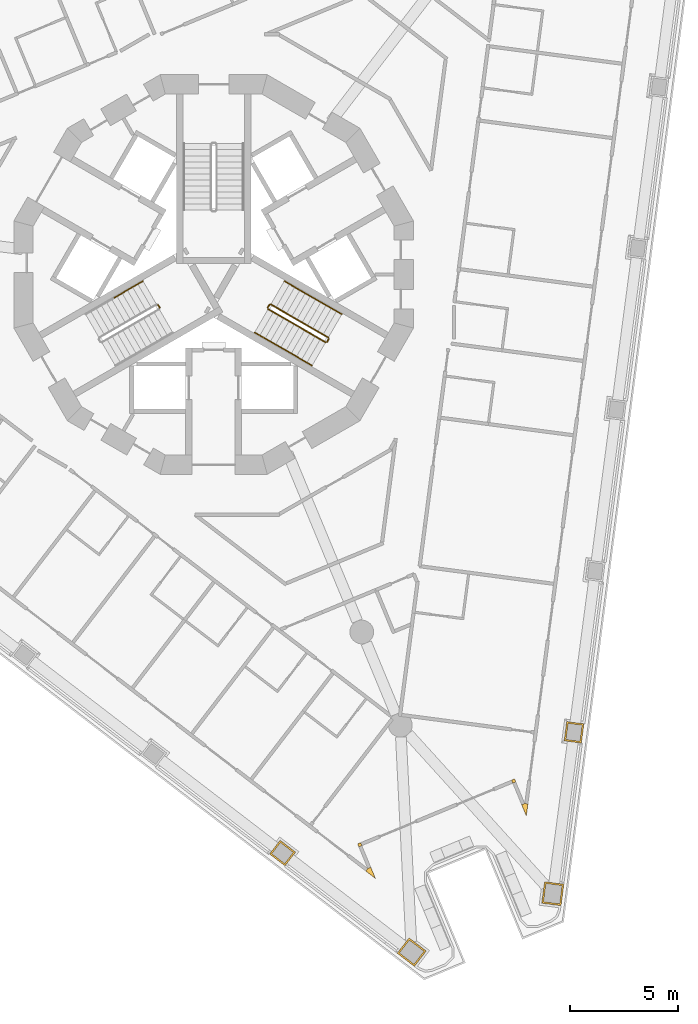
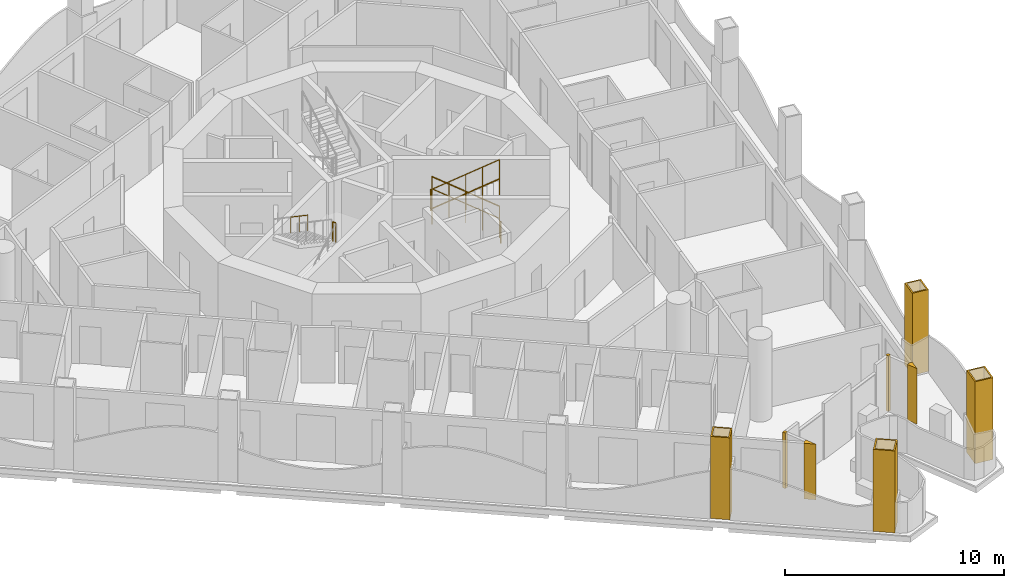
# One storey, part 13 of 17: 10 railings, 8 coverings.
"""IFC4 building model written with IfcOpenShell, lengths in metres."""

import ifcopenshell
import ifcopenshell.guid

model = None  # the IFC model being written
_history = None  # IfcOwnerHistory: only IFC2X3 demands one
_inside = {}  # id of a spatial element -> (the spatial element, [elements in it])
_under = {}  # id of a project, library or spatial element -> (it, [spatial elements below it])
_declared = {}  # id of a project -> (the project, [libraries it declares])
_typed = {}  # id of a type object -> (the type object, [elements of that type])
_made_of = {}  # id of a material, layer set ... -> (it, [elements and type objects made of it])


def new_model(schema):
    """Start an empty IFC model of exactly this schema.

    Asked for "IFC4X3", IfcOpenShell would pick the latest addendum, in which some entities
    have other attributes; the version numbers below select the first issue.
    IFC2X3 requires an IfcOwnerHistory on every rooted entity: one is made here for all.
    """
    global model, _history
    if schema == "IFC4X3":
        model = ifcopenshell.file(schema_version=(4, 3, 0, 0))
    else:
        model = ifcopenshell.file(schema=schema)
    _inside.clear()
    _under.clear()
    _declared.clear()
    _typed.clear()
    _made_of.clear()
    _history = None
    if model.schema == "IFC2X3":
        org = make("IfcOrganization", Name="unknown")
        user = make(
            "IfcPersonAndOrganization",
            ThePerson=make("IfcPerson", FamilyName="unknown"),
            TheOrganization=org,
        )
        app = make(
            "IfcApplication",
            ApplicationDeveloper=org,
            Version="unknown",
            ApplicationFullName="unknown",
            ApplicationIdentifier="unknown",
        )
        _history = make(
            "IfcOwnerHistory",
            OwningUser=user,
            OwningApplication=app,
            ChangeAction="ADDED",
            CreationDate=0,
        )
    return model


def make(cls, **values):
    """One entity of the class cls with the attributes given. An attribute that is None is left unset."""
    return model.create_entity(
        cls, **{name: value for name, value in values.items() if value is not None}
    )


def rooted(cls, **values):
    """An entity with a GlobalId (a new one), such as an element, a storey or a relation."""
    return make(cls, GlobalId=ifcopenshell.guid.new(), OwnerHistory=_history, **values)


def si_unit(unit_type, name, prefix=None):
    """IfcSIUnit, for example si_unit("LENGTHUNIT", "METRE", prefix="MILLI")."""
    return make("IfcSIUnit", UnitType=unit_type, Prefix=prefix, Name=name)


def assignment(units):
    """IfcUnitAssignment: the units of a project."""
    return None if units is None else make("IfcUnitAssignment", Units=units)


def point(xyz):
    """IfcCartesianPoint."""
    return None if xyz is None else make("IfcCartesianPoint", Coordinates=xyz)


def direction(xyz):
    """IfcDirection."""
    return None if xyz is None else make("IfcDirection", DirectionRatios=xyz)


def frame(location, z_axis=None, x_axis=None):
    """IfcAxis2Placement3D, a coordinate frame: its origin and axes. An axis left out is left unset."""
    return make(
        "IfcAxis2Placement3D",
        Location=point(location),
        Axis=direction(z_axis),
        RefDirection=direction(x_axis),
    )


def frame_2d(location, x_axis=None):
    """IfcAxis2Placement2D, a coordinate frame in the plane: its origin and x axis."""
    return make(
        "IfcAxis2Placement2D", Location=point(location), RefDirection=direction(x_axis)
    )


def origin():
    """The frame at (0, 0, 0) with its axes left unset."""
    return frame((0.0, 0.0, 0.0))


def origin_2d():
    """The frame at (0, 0) in the plane with its x axis left unset."""
    return frame_2d((0.0, 0.0))


def place(relative_to, where):
    """IfcLocalPlacement: puts the frame where relative to a parent placement (None: the world)."""
    return make(
        "IfcLocalPlacement", PlacementRelTo=relative_to, RelativePlacement=where
    )


def context(
    kind, dimensions, precision=None, world=None, true_north=None, identifier=None
):
    """IfcGeometricRepresentationContext, for example the 3D "Model" context."""
    return make(
        "IfcGeometricRepresentationContext",
        ContextIdentifier=identifier,
        ContextType=kind,
        CoordinateSpaceDimension=dimensions,
        Precision=precision,
        WorldCoordinateSystem=world,
        TrueNorth=true_north,
    )


def subcontext(parent, identifier, kind, view, scale=None):
    """IfcGeometricRepresentationSubContext, for example "Body" below "Model"."""
    return make(
        "IfcGeometricRepresentationSubContext",
        ContextIdentifier=identifier,
        ContextType=kind,
        ParentContext=parent,
        TargetScale=scale,
        TargetView=view,
    )


def project(units=None, contexts=None):
    """IfcProject with its units and contexts."""
    return rooted(
        "IfcProject",
        Name="project",
        RepresentationContexts=contexts,
        UnitsInContext=assignment(units),
    )


def spatial(cls, under=None, at=None, **own):
    """A site, building, storey or space (cls), placed at a placement, below another one or the project."""
    s = rooted(cls, ObjectPlacement=at, **own)
    if under is not None:
        _under.setdefault(under.id(), (under, []))[1].append(s)
    return s


def polyline(points):
    """IfcPolyline through the points."""
    return make("IfcPolyline", Points=[point(p) for p in points])


def profile(cls, at=None, kind="AREA", **sizes):
    """A parametric profile (cls). Its sizes go by their IFC names, for example OverallWidth=200.0."""
    return make(cls, ProfileType=kind, Position=at, **sizes)


def circle(**sizes):
    """IfcCircleProfileDef."""
    return profile("IfcCircleProfileDef", **sizes)


def outline(outer, holes=None, kind="AREA"):
    """IfcArbitraryClosedProfileDef: a profile drawn as a closed curve; with holes, ...WithVoids."""
    if holes is None:
        return make("IfcArbitraryClosedProfileDef", ProfileType=kind, OuterCurve=outer)
    return make(
        "IfcArbitraryProfileDefWithVoids",
        ProfileType=kind,
        OuterCurve=outer,
        InnerCurves=holes,
    )


def extrude(swept, where, along, depth):
    """IfcExtrudedAreaSolid: the profile swept, set in the frame where, extruded along a direction by depth."""
    return make(
        "IfcExtrudedAreaSolid",
        SweptArea=swept,
        Position=where,
        ExtrudedDirection=direction(along),
        Depth=depth,
    )


def shape(context_of_items, identifier, shape_type, items):
    """IfcShapeRepresentation: the items that make up one representation, for example the "Body"."""
    return make(
        "IfcShapeRepresentation",
        ContextOfItems=context_of_items,
        RepresentationIdentifier=identifier,
        RepresentationType=shape_type,
        Items=items,
    )


def material(Name=None, Category=None):
    """IfcMaterial."""
    return make("IfcMaterial", Name=Name, Category=Category)


def layer(
    of_material, thickness, ventilated=None, Name=None, Category=None, Priority=None
):
    """IfcMaterialLayer: one layer of a wall or slab, of a material (None: an air gap)."""
    return make(
        "IfcMaterialLayer",
        Material=of_material,
        LayerThickness=thickness,
        IsVentilated=ventilated,
        Name=Name,
        Category=Category,
        Priority=Priority,
    )


def layer_set(layers, Name=None):
    """IfcMaterialLayerSet."""
    return make("IfcMaterialLayerSet", MaterialLayers=layers, LayerSetName=Name)


def made_of(thing, what):
    """Note that an element or type object is made of a material, layer set ...; save() writes the relation."""
    if what is not None:
        _made_of.setdefault(what.id(), (what, []))[1].append(thing)
    return thing


def type_object(cls, material=None, **own):
    """A type object (cls), such as IfcWallType, which elements share."""
    return made_of(rooted(cls, **own), material)


def element(
    cls,
    number,
    at=None,
    inside=None,
    cuts=None,
    type_object=None,
    material=None,
    context=None,
    identifier="Body",
    shape_type=None,
    held_by="IfcProductDefinitionShape",
    body=None,
    shapes=None,
    **own,
):
    """One element of the class cls, such as IfcWall. Its Tag is "e" and its number.

    at: its placement. inside: the storey or other place that contains it. cuts: it is an
    opening in that element (IfcRelVoidsElement). A single representation is given by context,
    identifier, shape_type and body (its items); several are given by shapes. held_by: the class
    of the entity that holds the representations. save() writes the other relations.
    """
    e = rooted(cls, Tag="e%d" % number, ObjectPlacement=at, **own)
    if body is not None:
        shapes = [shape(context, identifier, shape_type, body)]
    if shapes is not None:
        e.Representation = make(held_by, Representations=shapes)
    if inside is not None:
        _inside.setdefault(inside.id(), (inside, []))[1].append(e)
    if cuts is not None:
        rooted(
            "IfcRelVoidsElement", RelatingBuildingElement=cuts, RelatedOpeningElement=e
        )
    if type_object is not None:
        _typed.setdefault(type_object.id(), (type_object, []))[1].append(e)
    return made_of(e, material)


def aggregate(whole, parts):
    """IfcRelAggregates: a whole, such as a stair, and the parts it consists of."""
    return rooted("IfcRelAggregates", RelatingObject=whole, RelatedObjects=parts)


def save(model, path):
    """Write the relations noted so far, then the file.

    IfcRelAggregates (storeys below a building ...), IfcRelContainedInSpatialStructure (elements
    in a storey), IfcRelDefinesByType, IfcRelAssociatesMaterial and IfcRelDeclares: one each for
    every whole, place, type object, material and project.
    """
    for whole, parts in _under.values():
        aggregate(whole, parts)
    for where, things in _inside.values():
        rooted(
            "IfcRelContainedInSpatialStructure",
            RelatedElements=things,
            RelatingStructure=where,
        )
    for kind, things in _typed.values():
        rooted("IfcRelDefinesByType", RelatedObjects=things, RelatingType=kind)
    for what, things in _made_of.values():
        rooted("IfcRelAssociatesMaterial", RelatedObjects=things, RelatingMaterial=what)
    for by, libraries in _declared.values():
        rooted("IfcRelDeclares", RelatingContext=by, RelatedDefinitions=libraries)
    model.write(path)


model = new_model("IFC4")

# Units and contexts
model_context = context("Model", 3, precision=1e-05, world=origin(), true_north=direction((0.0, 1.0)))
body_context = subcontext(model_context, "Body", "Model", "MODEL_VIEW")
ifc_project = project(units=[si_unit("LENGTHUNIT", "METRE"), si_unit("AREAUNIT", "SQUARE_METRE"), si_unit("VOLUMEUNIT", "CUBIC_METRE"), si_unit("PLANEANGLEUNIT", "RADIAN"), si_unit("MASSUNIT", "GRAM", prefix="KILO")], contexts=[model_context])

# Site, building, storey
site_placement = place(None, origin())
site = spatial("IfcSite", under=ifc_project, at=site_placement, CompositionType="ELEMENT")
building_placement = place(site_placement, origin())
building = spatial("IfcBuilding", under=site, at=building_placement, Name="Trine Commons Tower", CompositionType="ELEMENT")
storey_placement = place(building_placement, frame((0.0, 0.0, 153.0)))
storey = spatial("IfcBuildingStorey", under=building, at=storey_placement, Name="L39", CompositionType="ELEMENT", Elevation=153.0)

# Coverings
ifc_material_1 = material(Name="Aluminium-framed insulated wall panel", Category="aluminium")
ifc_layer_1 = layer(ifc_material_1, 0.14990234375)
ifc_layer_set_1 = layer_set([ifc_layer_1], Name="Aluminium-framed insulated wall panel")
covering_type_1 = type_object("IfcCoveringType", Name="Glazing corner post, aluminium", PredefinedType="CLADDING", material=ifc_layer_set_1)
covering_1_placement = place(storey_placement, origin())
element("IfcCovering", 1, at=covering_1_placement, inside=storey, type_object=covering_type_1, Name="Glazing corner post 4-09", PredefinedType="CLADDING", context=body_context, shape_type="SweptSolid", body=[
    extrude(outline(polyline([(94.2939453125, 37.89501953125), (94.50830078125, 37.377685546875), (94.581298828125, 37.932861328125), (94.4326171875, 37.952392578125), (94.4326171875, 37.952392578125), (94.2939453125, 37.89501953125)])), origin(), (0.0, 0.0, 1.0), 3.10009765625),
])
covering_2_placement = place(storey_placement, origin())
element("IfcCovering", 2, at=covering_2_placement, inside=storey, type_object=covering_type_1, Name="Glazing corner post 4-10", PredefinedType="CLADDING", context=body_context, shape_type="SweptSolid", body=[
    extrude(outline(polyline([(93.821044921875, 39.03662109375), (93.87841796875, 38.89794921875), (93.87841796875, 38.89794921875), (94.01708984375, 38.955322265625), (93.959716796875, 39.093994140625), (93.821044921875, 39.03662109375)])), origin(), (0.0, 0.0, 1.0), 3.10009765625),
])
covering_3_placement = place(storey_placement, origin())
element("IfcCovering", 3, at=covering_3_placement, inside=storey, type_object=covering_type_1, Name="Glazing corner post 4-11", PredefinedType="CLADDING", context=body_context, shape_type="SweptSolid", body=[
    extrude(outline(polyline([(86.73681640625, 35.93994140625), (86.87548828125, 35.997314453125), (86.818115234375, 36.135986328125), (86.679443359375, 36.07861328125), (86.73681640625, 35.93994140625)])), origin(), (0.0, 0.0, 1.0), 3.10009765625),
])
covering_4_placement = place(storey_placement, origin())
element("IfcCovering", 4, at=covering_4_placement, inside=storey, type_object=covering_type_1, Name="Glazing corner post 4-12", PredefinedType="CLADDING", context=body_context, shape_type="SweptSolid", body=[
    extrude(outline(polyline([(87.06103515625, 34.81787109375), (87.505126953125, 34.47705078125), (87.291015625, 34.994140625), (87.15234375, 34.936767578125), (87.06103515625, 34.81787109375)])), origin(), (0.0, 0.0, 1.0), 3.10009765625),
])
ifc_material_2 = material(Name="Limestone, honed", Category="masonry")
ifc_layer_2 = layer(ifc_material_2, 0.074951171875)
ifc_layer_set_2 = layer_set([ifc_layer_2], Name="Limestone, honed")
covering_type_2 = type_object("IfcCoveringType", Name="Limestone column cladding 75", PredefinedType="CLADDING", material=ifc_layer_set_2)
covering_5_placement = place(storey_placement, origin())
element("IfcCovering", 5, at=covering_5_placement, inside=storey, type_object=covering_type_2, Name="Limestone pier cladding 4-01", PredefinedType="CLADDING", context=body_context, shape_type="SweptSolid", body=[
    extrude(outline(polyline([(89.065673828125, 31.716796875), (88.517578125, 31.002685546875), (89.31103515625, 30.39404296875), (89.85888671875, 31.10791015625), (89.065673828125, 31.716796875)]), holes=[polyline([(89.079345703125, 31.611572265625), (88.622802734375, 31.0166015625), (89.297119140625, 30.499267578125), (89.75390625, 31.09423828125), (89.079345703125, 31.611572265625)])]), origin(), (0.0, 0.0, 1.0), 4.565185546875),
])
covering_6_placement = place(storey_placement, origin())
element("IfcCovering", 6, at=covering_6_placement, inside=storey, type_object=covering_type_2, Name="Limestone pier cladding 4-02", PredefinedType="CLADDING", context=body_context, shape_type="SweptSolid", body=[
    extrude(outline(polyline([(83.08349609375, 36.243896484375), (82.596435546875, 35.609375), (83.310302734375, 35.061279296875), (83.79736328125, 35.696044921875), (83.08349609375, 36.243896484375)]), holes=[polyline([(83.09716796875, 36.138916015625), (82.701416015625, 35.623046875), (83.296630859375, 35.16650390625), (83.6923828125, 35.682373046875), (83.09716796875, 36.138916015625)])]), origin(), (0.0, 0.0, 1.0), 4.565185546875),
])
covering_7_placement = place(storey_placement, origin())
element("IfcCovering", 7, at=covering_7_placement, inside=storey, type_object=covering_type_2, Name="Limestone pier cladding 4-23", PredefinedType="CLADDING", context=body_context, shape_type="SweptSolid", body=[
    extrude(outline(polyline([(97.1787109375, 41.6494140625), (96.385498046875, 41.75390625), (96.26806640625, 40.86181640625), (97.06103515625, 40.757080078125), (97.1787109375, 41.6494140625)]), holes=[polyline([(97.094482421875, 41.5849609375), (96.449951171875, 41.669921875), (96.35205078125, 40.92626953125), (96.99658203125, 40.84130859375), (97.094482421875, 41.5849609375)])]), origin(), (0.0, 0.0, 1.0), 4.565185546875),
])
covering_8_placement = place(storey_placement, origin())
element("IfcCovering", 8, at=covering_8_placement, inside=storey, type_object=covering_type_2, Name="Limestone pier cladding 4-24", PredefinedType="CLADDING", context=body_context, shape_type="SweptSolid", body=[
    extrude(outline(polyline([(96.2490234375, 34.205078125), (95.356689453125, 34.32275390625), (95.226318359375, 33.331298828125), (96.118408203125, 33.213623046875), (96.2490234375, 34.205078125)]), holes=[polyline([(96.164794921875, 34.140625), (95.42138671875, 34.238525390625), (95.310302734375, 33.395751953125), (96.053955078125, 33.2978515625), (96.164794921875, 34.140625)])]), origin(), (0.0, 0.0, 1.0), 4.565185546875),
])

# Railings
ifc_material_3 = material(Name="Stainless steel balustrade", Category="steel")
railing_type_1 = type_object("IfcRailingType", Name="Stair guard, steel balustrade 1100", PredefinedType="GUARDRAIL", material=ifc_material_3)
railing_1_placement = place(storey_placement, frame((77.490966796875, 60.96484375, 1.800048828125)))
element("IfcRailing", 9, at=railing_1_placement, inside=storey, type_object=railing_type_1, Name="L39 ST2B stair guard 2", PredefinedType="GUARDRAIL", context=body_context, shape_type="SweptSolid", body=[
    extrude(circle(Radius=0.02392578125, at=origin_2d()), frame((0.0, 0.0, 1.076171875), z_axis=(-0.501036270542, 0.865426285481, 0.0), x_axis=(-0.865426285481, -0.501036270542, 0.0)), (0.0, 0.0, 1.0), 0.150146484375),
    extrude(circle(Radius=0.02099609375, at=origin_2d()), origin(), (0.0, 0.0, 1.0), 1.052001953125),
    extrude(circle(Radius=0.02099609375, at=origin_2d()), frame((-0.0751953125, 0.1298828125, 0.0)), (0.0, 0.0, 1.0), 1.052001953125),
])
railing_2_placement = place(storey_placement, frame((85.31982421875, 59.572998046875, 0.14990234375)))
element("IfcRailing", 10, at=railing_2_placement, inside=storey, type_object=railing_type_1, Name="L39 ST3B stair guard 1", PredefinedType="GUARDRAIL", context=body_context, shape_type="SweptSolid", body=[
    extrude(circle(Radius=0.02392578125, at=origin_2d()), frame((0.0, 0.0, 1.076171875), z_axis=(-0.763379768245, 0.440728498818, 0.472239049384), x_axis=(-0.499992328818, -0.866029832698, 0.0)), (0.0, 0.0, 1.0), 3.494384765625),
    extrude(circle(Radius=0.02099609375, at=origin_2d()), origin(), (0.0, 0.0, 1.0), 1.052001953125),
    extrude(circle(Radius=0.02099609375, at=origin_2d()), frame((-0.6669921875, 0.385009765625, 0.41259765625)), (0.0, 0.0, 1.0), 1.052001953125),
    extrude(circle(Radius=0.02099609375, at=origin_2d()), frame((-1.333740234375, 0.77001953125, 0.8251953125)), (0.0, 0.0, 1.0), 1.052001953125),
    extrude(circle(Radius=0.02099609375, at=origin_2d()), frame((-2.00048828125, 1.155029296875, 1.237548828125)), (0.0, 0.0, 1.0), 1.052001953125),
    extrude(circle(Radius=0.02099609375, at=origin_2d()), frame((-2.66748046875, 1.5400390625, 1.650146484375)), (0.0, 0.0, 1.0), 1.052001953125),
])
railing_3_placement = place(storey_placement, frame((82.584228515625, 61.0947265625, 1.800048828125)))
element("IfcRailing", 11, at=railing_3_placement, inside=storey, type_object=railing_type_1, Name="L39 ST3B stair guard 2", PredefinedType="GUARDRAIL", context=body_context, shape_type="SweptSolid", body=[
    extrude(circle(Radius=0.02392578125, at=origin_2d()), frame((0.0, 0.0, 1.076171875), z_axis=(-0.501036270542, -0.865426285481, 0.0), x_axis=(0.865426285481, -0.501036270542, 0.0)), (0.0, 0.0, 1.0), 0.150146484375),
    extrude(circle(Radius=0.02099609375, at=origin_2d()), origin(), (0.0, 0.0, 1.0), 1.052001953125),
    extrude(circle(Radius=0.02099609375, at=origin_2d()), frame((-0.0751953125, -0.1298828125, 0.0)), (0.0, 0.0, 1.0), 1.052001953125),
])
railing_4_placement = place(storey_placement, frame((82.52734375, 60.896484375, 1.949951171875)))
element("IfcRailing", 12, at=railing_4_placement, inside=storey, type_object=railing_type_1, Name="L39 ST3B stair guard 3", PredefinedType="GUARDRAIL", context=body_context, shape_type="SweptSolid", body=[
    extrude(circle(Radius=0.02392578125, at=origin_2d()), frame((0.0, 0.0, 1.076171875), z_axis=(0.763379768245, -0.440728498818, 0.472239049384), x_axis=(0.499992328818, 0.866029832698, 0.0)), (0.0, 0.0, 1.0), 3.494384765625),
    extrude(circle(Radius=0.02099609375, at=origin_2d()), origin(), (0.0, 0.0, 1.0), 1.052001953125),
    extrude(circle(Radius=0.02099609375, at=origin_2d()), frame((0.6669921875, -0.385009765625, 0.41259765625)), (0.0, 0.0, 1.0), 1.052001953125),
    extrude(circle(Radius=0.02099609375, at=origin_2d()), frame((1.333740234375, -0.77001953125, 0.8251953125)), (0.0, 0.0, 1.0), 1.052001953125),
    extrude(circle(Radius=0.02099609375, at=origin_2d()), frame((2.00048828125, -1.155029296875, 1.237548828125)), (0.0, 0.0, 1.0), 1.052001953125),
    extrude(circle(Radius=0.02099609375, at=origin_2d()), frame((2.66748046875, -1.5400390625, 1.650146484375)), (0.0, 0.0, 1.0), 1.052001953125),
])
railing_5_placement = place(storey_placement, frame((85.338134765625, 59.504638671875, 0.0)))
element("IfcRailing", 13, at=railing_5_placement, inside=storey, type_object=railing_type_1, Name="L39 ST3B stair guard 4", PredefinedType="GUARDRAIL", context=body_context, shape_type="SweptSolid", body=[
    extrude(circle(Radius=0.02392578125, at=origin_2d()), frame((0.0, 0.0, 1.076171875), z_axis=(-0.499816412211, -0.866131372301, 0.0), x_axis=(0.866131372301, -0.499816412211, 0.0)), (0.0, 0.0, 1.0), 0.14990234375),
    extrude(circle(Radius=0.02099609375, at=origin_2d()), origin(), (0.0, 0.0, 1.0), 1.052001953125),
    extrude(circle(Radius=0.02099609375, at=origin_2d()), frame((-0.074951171875, -0.1298828125, 0.0)), (0.0, 0.0, 1.0), 1.052001953125),
])
ifc_material_4 = material(Name="Stainless steel handrail", Category="steel")
railing_type_2 = type_object("IfcRailingType", Name="Stair handrail, steel 900", PredefinedType="HANDRAIL", material=ifc_material_4)
railing_6_placement = place(storey_placement, frame((76.72265625, 62.195556640625, 1.949951171875)))
element("IfcRailing", 14, at=railing_6_placement, inside=storey, type_object=railing_type_2, Name="L39 ST2B stair handrail 3", PredefinedType="HANDRAIL", context=body_context, shape_type="SweptSolid", body=[
    extrude(circle(Radius=0.02099609375, at=origin_2d()), frame((0.0, 0.0, 0.87890625), z_axis=(-0.76340495495, -0.440743040072, 0.472184759798), x_axis=(0.499992328818, -0.866029832698, 0.0)), (0.0, 0.0, 1.0), 1.7470703125),
    extrude(circle(Radius=0.01513671875, at=origin_2d()), origin(), (0.0, 0.0, 1.0), 0.85791015625),
    extrude(circle(Radius=0.01513671875, at=origin_2d()), frame((-0.6669921875, -0.385009765625, 0.41259765625)), (0.0, 0.0, 1.0), 0.85791015625),
    extrude(circle(Radius=0.01513671875, at=origin_2d()), frame((-1.333740234375, -0.77001953125, 0.824951171875)), (0.0, 0.0, 1.0), 0.85791015625),
])
railing_7_placement = place(storey_placement, frame((85.94482421875, 60.655517578125, 0.14990234375)))
element("IfcRailing", 15, at=railing_7_placement, inside=storey, type_object=railing_type_2, Name="L39 ST3B stair handrail 1", PredefinedType="HANDRAIL", context=body_context, shape_type="SweptSolid", body=[
    extrude(circle(Radius=0.02099609375, at=origin_2d()), frame((0.0, 0.0, 0.87890625), z_axis=(-0.763354580307, 0.440713956853, 0.472293333596), x_axis=(-0.499992328818, -0.866029832698, 0.0)), (0.0, 0.0, 1.0), 1.747314453125),
    extrude(circle(Radius=0.01513671875, at=origin_2d()), origin(), (0.0, 0.0, 1.0), 0.85791015625),
    extrude(circle(Radius=0.01513671875, at=origin_2d()), frame((-0.6669921875, 0.385009765625, 0.41259765625)), (0.0, 0.0, 1.0), 0.85791015625),
    extrude(circle(Radius=0.01513671875, at=origin_2d()), frame((-1.333740234375, 0.77001953125, 0.8251953125)), (0.0, 0.0, 1.0), 0.85791015625),
])
railing_8_placement = place(storey_placement, frame((84.611083984375, 61.425537109375, 0.97509765625)))
element("IfcRailing", 16, at=railing_8_placement, inside=storey, type_object=railing_type_2, Name="L39 ST3B stair handrail 2", PredefinedType="HANDRAIL", context=body_context, shape_type="SweptSolid", body=[
    extrude(circle(Radius=0.02099609375, at=origin_2d()), frame((0.0, 0.0, 0.87890625), z_axis=(-0.76340495495, 0.440743040072, 0.472184759798), x_axis=(-0.499992328818, -0.866029832698, 0.0)), (0.0, 0.0, 1.0), 1.7470703125),
    extrude(circle(Radius=0.01513671875, at=origin_2d()), origin(), (0.0, 0.0, 1.0), 0.85791015625),
    extrude(circle(Radius=0.01513671875, at=origin_2d()), frame((-0.6669921875, 0.385009765625, 0.41259765625)), (0.0, 0.0, 1.0), 0.85791015625),
    extrude(circle(Radius=0.01513671875, at=origin_2d()), frame((-1.333740234375, 0.77001953125, 0.824951171875)), (0.0, 0.0, 1.0), 0.85791015625),
])
railing_9_placement = place(storey_placement, frame((81.90234375, 59.81396484375, 1.949951171875)))
element("IfcRailing", 17, at=railing_9_placement, inside=storey, type_object=railing_type_2, Name="L39 ST3B stair handrail 3", PredefinedType="HANDRAIL", context=body_context, shape_type="SweptSolid", body=[
    extrude(circle(Radius=0.02099609375, at=origin_2d()), frame((0.0, 0.0, 0.87890625), z_axis=(0.76340495495, -0.440743040072, 0.472184759798), x_axis=(0.499992328818, 0.866029832698, 0.0)), (0.0, 0.0, 1.0), 1.7470703125),
    extrude(circle(Radius=0.01513671875, at=origin_2d()), origin(), (0.0, 0.0, 1.0), 0.85791015625),
    extrude(circle(Radius=0.01513671875, at=origin_2d()), frame((0.6669921875, -0.385009765625, 0.41259765625)), (0.0, 0.0, 1.0), 0.85791015625),
    extrude(circle(Radius=0.01513671875, at=origin_2d()), frame((1.333740234375, -0.77001953125, 0.824951171875)), (0.0, 0.0, 1.0), 0.85791015625),
])
railing_10_placement = place(storey_placement, frame((83.236083984375, 59.0439453125, 2.77490234375)))
element("IfcRailing", 18, at=railing_10_placement, inside=storey, type_object=railing_type_2, Name="L39 ST3B stair handrail 4", PredefinedType="HANDRAIL", context=body_context, shape_type="SweptSolid", body=[
    extrude(circle(Radius=0.02099609375, at=origin_2d()), frame((0.0, 0.0, 0.87890625), z_axis=(0.763354580307, -0.440713956853, 0.472293333596), x_axis=(0.499992328818, 0.866029832698, 0.0)), (0.0, 0.0, 1.0), 1.747314453125),
    extrude(circle(Radius=0.01513671875, at=origin_2d()), origin(), (0.0, 0.0, 1.0), 0.85791015625),
    extrude(circle(Radius=0.01513671875, at=origin_2d()), frame((0.6669921875, -0.385009765625, 0.41259765625)), (0.0, 0.0, 1.0), 0.85791015625),
    extrude(circle(Radius=0.01513671875, at=origin_2d()), frame((1.333740234375, -0.77001953125, 0.8251953125)), (0.0, 0.0, 1.0), 0.85791015625),
])

save(model, "model.ifc")
